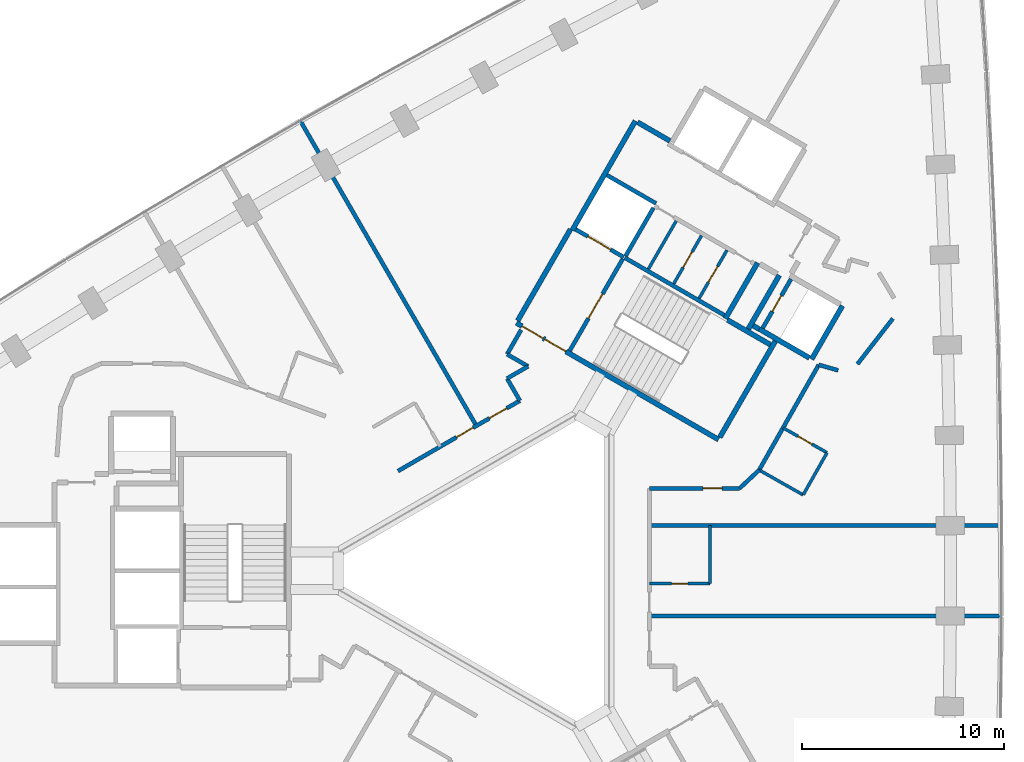
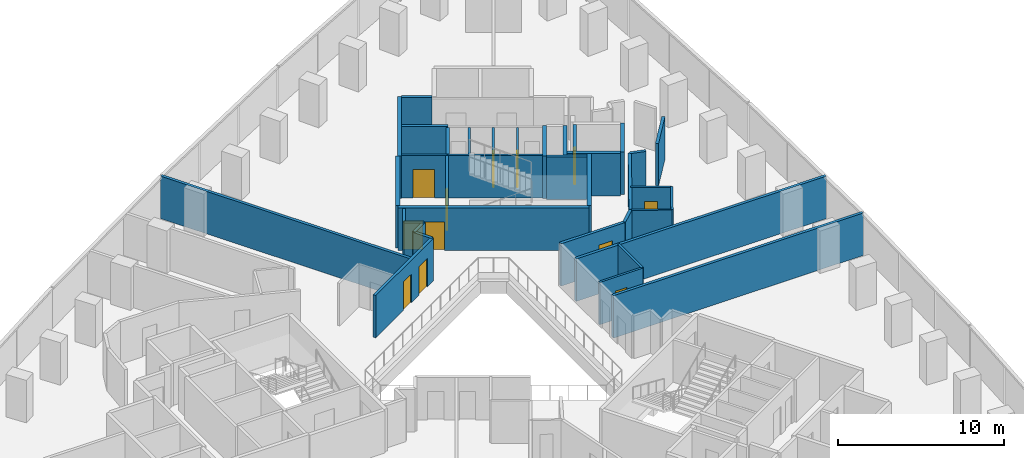
# One storey, part 11 of 13: 38 walls, 12 doors, 12 openings.
"""IFC4 building model written with IfcOpenShell, lengths in metres."""

from ifc_helpers import new_model, si_unit, direction, frame, frame_2d, origin, place, context, subcontext, project, spatial, rectangle, extrude, material, layer, layer_set, type_object, element, fill, save


model = new_model("IFC4")

# Units and contexts
model_context = context("Model", 3, precision=1e-05, world=origin(), true_north=direction((0.0, 1.0)))
body_context = subcontext(model_context, "Body", "Model", "MODEL_VIEW")
ifc_project = project(units=[si_unit("LENGTHUNIT", "METRE"), si_unit("AREAUNIT", "SQUARE_METRE"), si_unit("VOLUMEUNIT", "CUBIC_METRE"), si_unit("PLANEANGLEUNIT", "RADIAN"), si_unit("MASSUNIT", "GRAM", prefix="KILO")], contexts=[model_context])

# Site, building, storey
site_placement = place(None, origin())
site = spatial("IfcSite", under=ifc_project, at=site_placement, CompositionType="ELEMENT")
building_placement = place(site_placement, origin())
building = spatial("IfcBuilding", under=site, at=building_placement, Name="Tamra Quay Hotel Tower", CompositionType="ELEMENT")
storey_placement = place(building_placement, frame((0.0, 0.0, 49.39990234375)))
storey = spatial("IfcBuildingStorey", under=building, at=storey_placement, Name="L10", CompositionType="ELEMENT", Elevation=49.39990234375)

# Wall
ifc_material_1 = material(Name="Concrete M70", Category="concrete")
ifc_layer_1 = layer(ifc_material_1, 0.199951171875)
ifc_layer_set_1 = layer_set([ifc_layer_1], Name="Concrete M70 core wall 200")
wall_type_1 = type_object("IfcWallType", Name="Concrete M70 core wall 200", PredefinedType="SHEAR", material=ifc_layer_set_1)
wall_1_placement = place(storey_placement, frame((5.774658203125, 15.501953125, 0.0), z_axis=(0.0, 0.0, 1.0), x_axis=(0.866020080793, -0.500009219579, 0.0)))
element("IfcWall", 1, at=wall_1_placement, inside=storey, type_object=wall_type_1, Name="CW2", PredefinedType="SHEAR", context=body_context, shape_type="SweptSolid", body=[
    extrude(rectangle(XDim=5.69921875, YDim=0.199951171875, at=frame_2d((2.849609375, 0.0))), origin(), (0.0, 0.0, 1.0), 3.125),
])

# Wall, opening, door
wall_2_placement = place(storey_placement, frame((3.056640625, 10.89453125, 0.0), z_axis=(0.0, 0.0, 1.0), x_axis=(0.499989418164, 0.866031513124, 0.0)))
wall_2 = element("IfcWall", 2, at=wall_2_placement, inside=storey, type_object=wall_type_1, Name="CW2", PredefinedType="SHEAR", context=body_context, shape_type="SweptSolid", body=[
    extrude(rectangle(XDim=5.2509765625, YDim=0.199951171875, at=frame_2d((2.62548828125, 0.0))), origin(), (0.0, 0.0, 1.0), 3.125),
])
opening_1_placement = place(wall_2_placement, frame((1.84912109375, 0.0, 0.0)))
opening_1 = element("IfcOpeningElement", 3, at=opening_1_placement, cuts=wall_2, Name="Opening FD2", PredefinedType="OPENING", context=body_context, shape_type="SweptSolid", body=[
    extrude(rectangle(XDim=1.39990234375, YDim=2.10009765625, at=frame_2d((0.699951171875, 1.050048828125))), frame((0.0, 0.10986328125, 0.0), z_axis=(0.0, -1.0, 0.0), x_axis=(1.0, 0.0, 0.0)), (0.0, 0.0, 1.0), 0.219970703125),
])
ifc_material_2 = material(Name="Core door FD2 1400x2100 RH")
door_type_1 = type_object("IfcDoorType", Name="Core door FD2 1400x2100 RH", OperationType="NOTDEFINED", PredefinedType="DOOR", material=ifc_material_2)
door_1_placement = place(opening_1_placement, origin())
door_1 = element("IfcDoor", 4, at=door_1_placement, inside=storey, type_object=door_type_1, Name="FD2", OperationType="SINGLE_SWING_RIGHT", OverallHeight=2.10009765625, OverallWidth=1.39990234375, PredefinedType="DOOR", context=body_context, shape_type="SweptSolid", body=[
    extrude(rectangle(XDim=1.39990234375, YDim=2.10009765625, at=frame_2d((0.699951171875, 1.050048828125))), frame((0.0, 0.02490234375, 0.0), z_axis=(0.0, -1.0, 0.0), x_axis=(1.0, 0.0, 0.0)), (0.0, 0.0, 1.0), 0.050048828125),
])
fill(opening_1, door_1)

wall_3_placement = place(storey_placement, frame((14.0078125, 14.442138671875, 0.0), z_axis=(0.0, 0.0, 1.0), x_axis=(-0.499986818241, -0.866033014143, 0.0)))
wall_3 = element("IfcWall", 5, at=wall_3_placement, inside=storey, type_object=wall_type_1, Name="CW2", PredefinedType="SHEAR", context=body_context, shape_type="SweptSolid", body=[
    extrude(rectangle(XDim=2.7978515625, YDim=0.199951171875, at=frame_2d((1.39892578125, 0.0))), origin(), (0.0, 0.0, 1.0), 3.125),
])
opening_2_placement = place(wall_3_placement, frame((0.948974609375, 0.0, 0.0)))
opening_2 = element("IfcOpeningElement", 6, at=opening_2_placement, cuts=wall_3, Name="Opening D1", PredefinedType="OPENING", context=body_context, shape_type="SweptSolid", body=[
    extrude(rectangle(XDim=0.89990234375, YDim=2.10009765625, at=frame_2d((0.449951171875, 1.050048828125))), frame((0.0, 0.10986328125, 0.0), z_axis=(0.0, -1.0, 0.0), x_axis=(1.0, 0.0, 0.0)), (0.0, 0.0, 1.0), 0.219970703125),
])
ifc_material_3 = material(Name="Core door D1 900x2100 LH")
door_type_2 = type_object("IfcDoorType", Name="Core door D1 900x2100 LH", OperationType="NOTDEFINED", PredefinedType="DOOR", material=ifc_material_3)
door_2_placement = place(opening_2_placement, origin())
door_2 = element("IfcDoor", 7, at=door_2_placement, inside=storey, type_object=door_type_2, Name="D1", OperationType="SINGLE_SWING_LEFT", OverallHeight=2.10009765625, OverallWidth=0.89990234375, PredefinedType="DOOR", context=body_context, shape_type="SweptSolid", body=[
    extrude(rectangle(XDim=0.89990234375, YDim=2.10009765625, at=frame_2d((0.449951171875, 1.050048828125))), frame((0.0, 0.02490234375, 0.0), z_axis=(0.0, -1.0, 0.0), x_axis=(1.0, 0.0, 0.0)), (0.0, 0.0, 1.0), 0.050048828125),
])
fill(opening_2, door_2)

# Wall
wall_4_placement = place(storey_placement, frame((7.199462890625, 17.969970703125, 0.0), z_axis=(0.0, 0.0, 1.0), x_axis=(-0.499968400327, -0.866043647095, 0.0)))
element("IfcWall", 8, at=wall_4_placement, inside=storey, type_object=wall_type_1, Name="CW2", PredefinedType="SHEAR", context=body_context, shape_type="SweptSolid", body=[
    extrude(rectangle(XDim=2.749755859375, YDim=0.199951171875, at=frame_2d((1.375, 0.0))), origin(), (0.0, 0.0, 1.0), 3.125),
])

# Wall, opening, door
wall_5_placement = place(storey_placement, frame((5.72509765625, 15.530517578125, 0.0), z_axis=(0.0, 0.0, 1.0), x_axis=(-0.866037306777, 0.499979382845, 0.0)))
wall_5 = element("IfcWall", 9, at=wall_5_placement, inside=storey, type_object=wall_type_1, Name="CW2", PredefinedType="SHEAR", context=body_context, shape_type="SweptSolid", body=[
    extrude(rectangle(XDim=2.74169921875, YDim=0.199951171875, at=frame_2d((1.370849609375, 0.0))), origin(), (0.0, 0.0, 1.0), 3.125),
])
opening_3_placement = place(wall_5_placement, frame((0.742919921875, 0.0, 0.0)))
opening_3 = element("IfcOpeningElement", 10, at=opening_3_placement, cuts=wall_5, Name="Opening LD", PredefinedType="OPENING", context=body_context, shape_type="SweptSolid", body=[
    extrude(rectangle(XDim=1.300048828125, YDim=2.10009765625, at=frame_2d((0.64990234375, 1.050048828125))), frame((0.0, 0.10986328125, 0.0), z_axis=(0.0, -1.0, 0.0), x_axis=(1.0, 0.0, 0.0)), (0.0, 0.0, 1.0), 0.219970703125),
])
ifc_material_4 = material(Name="Landing door LD 1300 sliding to right")
door_type_3 = type_object("IfcDoorType", Name="Landing door LD 1300 sliding to right", OperationType="NOTDEFINED", PredefinedType="DOOR", material=ifc_material_4)
door_3_placement = place(opening_3_placement, origin())
door_3 = element("IfcDoor", 11, at=door_3_placement, inside=storey, type_object=door_type_3, Name="LD", OperationType="SLIDING_TO_RIGHT", OverallHeight=2.10009765625, OverallWidth=1.300048828125, PredefinedType="DOOR", context=body_context, shape_type="SweptSolid", body=[
    extrude(rectangle(XDim=1.300048828125, YDim=2.10009765625, at=frame_2d((0.64990234375, 1.050048828125))), frame((0.0, 0.02490234375, 0.0), z_axis=(0.0, -1.0, 0.0), x_axis=(1.0, 0.0, 0.0)), (0.0, 0.0, 1.0), 0.050048828125),
])
fill(opening_3, door_3)

# Wall
wall_6_placement = place(storey_placement, frame((4.900634765625, 19.5859375, 0.0), z_axis=(0.0, 0.0, 1.0), x_axis=(0.866022890907, -0.500004352405, 0.0)))
element("IfcWall", 12, at=wall_6_placement, inside=storey, type_object=wall_type_1, Name="CW2", PredefinedType="SHEAR", context=body_context, shape_type="SweptSolid", body=[
    extrude(rectangle(XDim=2.798828125, YDim=0.199951171875, at=frame_2d((1.3994140625, 0.0))), origin(), (0.0, 0.0, 1.0), 3.125),
])

# Wall, openings, doors
ifc_layer_2 = layer(ifc_material_1, 0.25)
ifc_layer_set_2 = layer_set([ifc_layer_2], Name="Concrete M70 core wall 250")
wall_type_2 = type_object("IfcWallType", Name="Concrete M70 core wall 250", PredefinedType="SHEAR", material=ifc_layer_set_2)
wall_7_placement = place(storey_placement, frame((10.419921875, 6.497802734375, 0.0), z_axis=(0.0, 0.0, 1.0), x_axis=(-0.866021906294, 0.500006057782, 0.0)))
wall_7 = element("IfcWall", 13, at=wall_7_placement, inside=storey, type_object=wall_type_2, Name="CW1", PredefinedType="SHEAR", context=body_context, shape_type="SweptSolid", body=[
    extrude(rectangle(XDim=11.550048828125, YDim=0.25, at=frame_2d((5.77490234375, 0.0))), origin(), (0.0, 0.0, 1.0), 3.125),
])
opening_4_placement = place(wall_7_placement, frame((10.02490234375, 0.0, 0.0)))
opening_4 = element("IfcOpeningElement", 14, at=opening_4_placement, cuts=wall_7, Name="Opening FD1", PredefinedType="OPENING", context=body_context, shape_type="SweptSolid", body=[
    extrude(rectangle(XDim=1.199951171875, YDim=2.10009765625, at=frame_2d((0.60009765625, 1.050048828125))), frame((0.0, 0.135009765625, 0.0), z_axis=(0.0, -1.0, 0.0), x_axis=(1.0, 0.0, 0.0)), (0.0, 0.0, 1.0), 0.27001953125),
])
opening_5_placement = place(wall_7_placement, frame((8.724853515625, 0.0, 0.0)))
opening_5 = element("IfcOpeningElement", 15, at=opening_5_placement, cuts=wall_7, Name="Opening FD1", PredefinedType="OPENING", context=body_context, shape_type="SweptSolid", body=[
    extrude(rectangle(XDim=1.199951171875, YDim=2.10009765625, at=frame_2d((0.60009765625, 1.050048828125))), frame((0.0, 0.135009765625, 0.0), z_axis=(0.0, -1.0, 0.0), x_axis=(1.0, 0.0, 0.0)), (0.0, 0.0, 1.0), 0.27001953125),
])
ifc_material_5 = material(Name="Core door FD1 1200x2100 LH")
door_type_4 = type_object("IfcDoorType", Name="Core door FD1 1200x2100 LH", OperationType="NOTDEFINED", PredefinedType="DOOR", material=ifc_material_5)
door_4_placement = place(opening_4_placement, origin())
door_4 = element("IfcDoor", 16, at=door_4_placement, inside=storey, type_object=door_type_4, Name="FD1", OperationType="SINGLE_SWING_LEFT", OverallHeight=2.10009765625, OverallWidth=1.199951171875, PredefinedType="DOOR", context=body_context, shape_type="SweptSolid", body=[
    extrude(rectangle(XDim=1.199951171875, YDim=2.10009765625, at=frame_2d((0.60009765625, 1.050048828125))), frame((0.0, 0.02490234375, 0.0), z_axis=(0.0, -1.0, 0.0), x_axis=(1.0, 0.0, 0.0)), (0.0, 0.0, 1.0), 0.050048828125),
])
fill(opening_4, door_4)
ifc_material_6 = material(Name="Core door FD1 1200x2100 RH")
door_type_5 = type_object("IfcDoorType", Name="Core door FD1 1200x2100 RH", OperationType="NOTDEFINED", PredefinedType="DOOR", material=ifc_material_6)
door_5_placement = place(opening_5_placement, origin())
door_5 = element("IfcDoor", 17, at=door_5_placement, inside=storey, type_object=door_type_5, Name="FD1", OperationType="SINGLE_SWING_RIGHT", OverallHeight=2.10009765625, OverallWidth=1.199951171875, PredefinedType="DOOR", context=body_context, shape_type="SweptSolid", body=[
    extrude(rectangle(XDim=1.199951171875, YDim=2.10009765625, at=frame_2d((0.60009765625, 1.050048828125))), frame((0.0, 0.02490234375, 0.0), z_axis=(0.0, -1.0, 0.0), x_axis=(1.0, 0.0, 0.0)), (0.0, 0.0, 1.0), 0.050048828125),
])
fill(opening_5, door_5)

# Walls
wall_8_placement = place(storey_placement, frame((3.178955078125, 16.856201171875, 0.0), z_axis=(0.0, 0.0, 1.0), x_axis=(0.500004234368, 0.866022959057, 0.0)))
element("IfcWall", 18, at=wall_8_placement, inside=storey, type_object=wall_type_2, Name="CW1", PredefinedType="SHEAR", context=body_context, shape_type="SweptSolid", body=[
    extrude(rectangle(XDim=6.25, YDim=0.25, at=frame_2d((3.125, 0.0))), origin(), (0.0, 0.0, 1.0), 3.125),
])
wall_9_placement = place(storey_placement, frame((0.47998046875, 12.38134765625, 0.0), z_axis=(0.0, 0.0, 1.0), x_axis=(0.49999885962, 0.866026062182, 0.0)))
element("IfcWall", 19, at=wall_9_placement, inside=storey, type_object=wall_type_2, Name="CW1", PredefinedType="SHEAR", context=body_context, shape_type="SweptSolid", body=[
    extrude(rectangle(XDim=5.224609375, YDim=0.25, at=frame_2d((2.6123046875, 0.0))), origin(), (0.0, 0.0, 1.0), 3.125),
])
wall_10_placement = place(storey_placement, frame((13.237548828125, 11.3779296875, 0.0), z_axis=(0.0, 0.0, 1.0), x_axis=(-0.500008851346, -0.866020293397, 0.0)))
element("IfcWall", 20, at=wall_10_placement, inside=storey, type_object=wall_type_2, Name="CW1", PredefinedType="SHEAR", context=body_context, shape_type="SweptSolid", body=[
    extrude(rectangle(XDim=5.509765625, YDim=0.25, at=frame_2d((2.7548828125, 0.0))), origin(), (0.0, 0.0, 1.0), 3.125),
])
wall_11_placement = place(storey_placement, frame((12.356689453125, 15.25244140625, 0.0), z_axis=(0.0, 0.0, 1.0), x_axis=(-0.500028443584, -0.866008981251, 0.0)))
element("IfcWall", 21, at=wall_11_placement, inside=storey, type_object=wall_type_2, Name="CW1", PredefinedType="SHEAR", context=body_context, shape_type="SweptSolid", body=[
    extrude(rectangle(XDim=3.199951171875, YDim=0.25, at=frame_2d((1.60009765625, 0.0))), origin(), (0.0, 0.0, 1.0), 3.125),
])
wall_12_placement = place(storey_placement, frame((16.552001953125, 13.118896484375, 0.0), z_axis=(0.0, 0.0, 1.0), x_axis=(-0.499978833458, -0.866037623948, 0.0)))
element("IfcWall", 22, at=wall_12_placement, inside=storey, type_object=wall_type_2, Name="CW1", PredefinedType="SHEAR", context=body_context, shape_type="SweptSolid", body=[
    extrude(rectangle(XDim=3.050048828125, YDim=0.25, at=frame_2d((1.52490234375, 0.0))), origin(), (0.0, 0.0, 1.0), 3.125),
])
wall_13_placement = place(storey_placement, frame((14.91845703125, 10.540283203125, 0.0), z_axis=(0.0, 0.0, 1.0), x_axis=(-0.866063538972, 0.499933942099, 0.0)))
element("IfcWall", 23, at=wall_13_placement, inside=storey, type_object=wall_type_2, Name="CW1", PredefinedType="SHEAR", context=body_context, shape_type="SweptSolid", body=[
    extrude(rectangle(XDim=2.86474609375, YDim=0.25, at=frame_2d((1.432373046875, 0.0))), origin(), (0.0, 0.0, 1.0), 3.125),
])
wall_14_placement = place(storey_placement, frame((11.887939453125, 11.960693359375, 0.0), z_axis=(0.0, 0.0, 1.0), x_axis=(0.500003324108, 0.866023484601, 0.0)))
element("IfcWall", 24, at=wall_14_placement, inside=storey, type_object=wall_type_2, Name="CW1", PredefinedType="SHEAR", context=body_context, shape_type="SweptSolid", body=[
    extrude(rectangle(XDim=3.0849609375, YDim=0.25, at=frame_2d((1.54248046875, 0.0))), origin(), (0.0, 0.0, 1.0), 3.125),
])
wall_15_placement = place(storey_placement, frame((10.865234375, 12.41845703125, 0.0), z_axis=(0.0, 0.0, 1.0), x_axis=(0.866026229868, -0.499998569178, 0.0)))
element("IfcWall", 25, at=wall_15_placement, inside=storey, type_object=wall_type_2, Name="CW1", PredefinedType="SHEAR", context=body_context, shape_type="SweptSolid", body=[
    extrude(rectangle(XDim=2.44921875, YDim=0.25, at=frame_2d((1.224609375, 0.0))), origin(), (0.0, 0.0, 1.0), 3.125),
])
wall_16_placement = place(storey_placement, frame((6.41259765625, 22.2060546875, 0.0), z_axis=(0.0, 0.0, 1.0), x_axis=(0.866016279763, -0.500015802937, 0.0)))
element("IfcWall", 26, at=wall_16_placement, inside=storey, type_object=wall_type_2, Name="CW1", PredefinedType="SHEAR", context=body_context, shape_type="SweptSolid", body=[
    extrude(rectangle(XDim=1.84912109375, YDim=0.25, at=frame_2d((0.924560546875, 0.0))), origin(), (0.0, 0.0, 1.0), 3.125),
])
wall_17_placement = place(storey_placement, frame((12.4326171875, 11.9638671875, 0.0), z_axis=(0.0, 0.0, 1.0), x_axis=(-0.866055875208, 0.499947218231, 0.0)))
element("IfcWall", 27, at=wall_17_placement, inside=storey, type_object=wall_type_2, Name="CW1", PredefinedType="SHEAR", context=body_context, shape_type="SweptSolid", body=[
    extrude(rectangle(XDim=0.3447265625, YDim=0.25, at=frame_2d((0.17236328125, 0.0))), origin(), (0.0, 0.0, 1.0), 3.125),
])

# Wall, opening, door
ifc_material_7 = material(Name="Blockwork", Category="masonry")
ifc_layer_3 = layer(ifc_material_7, 0.14990234375)
ifc_layer_set_3 = layer_set([ifc_layer_3], Name="Core partition block 150")
wall_type_3 = type_object("IfcWallType", Name="Core partition block 150", PredefinedType="PARTITIONING", material=ifc_layer_set_3)
wall_18_placement = place(storey_placement, frame((9.462158203125, 13.4892578125, 0.0), z_axis=(0.0, 0.0, 1.0), x_axis=(0.50002746344, 0.86600954718, 0.0)))
wall_18 = element("IfcWall", 28, at=wall_18_placement, inside=storey, type_object=wall_type_3, Name="CP1", PredefinedType="PARTITIONING", context=body_context, shape_type="SweptSolid", body=[
    extrude(rectangle(XDim=2.748291015625, YDim=0.14990234375, at=frame_2d((1.3740234375, 0.0))), origin(), (0.0, 0.0, 1.0), 3.125),
])
opening_6_placement = place(wall_18_placement, frame((0.92431640625, 0.0, 0.0)))
opening_6 = element("IfcOpeningElement", 29, at=opening_6_placement, cuts=wall_18, Name="Opening D2", PredefinedType="OPENING", context=body_context, shape_type="SweptSolid", body=[
    extrude(rectangle(XDim=0.89990234375, YDim=2.10009765625, at=frame_2d((0.449951171875, 1.050048828125))), frame((0.0, 0.0849609375, 0.0), z_axis=(0.0, -1.0, 0.0), x_axis=(1.0, 0.0, 0.0)), (0.0, 0.0, 1.0), 0.169921875),
])
ifc_material_8 = material(Name="Core door D2 900x2100 RH")
door_type_6 = type_object("IfcDoorType", Name="Core door D2 900x2100 RH", OperationType="NOTDEFINED", PredefinedType="DOOR", material=ifc_material_8)
door_6_placement = place(opening_6_placement, origin())
door_6 = element("IfcDoor", 30, at=door_6_placement, inside=storey, type_object=door_type_6, Name="D2", OperationType="SINGLE_SWING_RIGHT", OverallHeight=2.10009765625, OverallWidth=0.89990234375, PredefinedType="DOOR", context=body_context, shape_type="SweptSolid", body=[
    extrude(rectangle(XDim=0.89990234375, YDim=2.10009765625, at=frame_2d((0.449951171875, 1.050048828125))), frame((0.0, 0.02490234375, 0.0), z_axis=(0.0, -1.0, 0.0), x_axis=(1.0, 0.0, 0.0)), (0.0, 0.0, 1.0), 0.050048828125),
])
fill(opening_6, door_6)

wall_19_placement = place(storey_placement, frame((8.20654296875, 14.214111328125, 0.0), z_axis=(0.0, 0.0, 1.0), x_axis=(0.499922376475, 0.866070215109, 0.0)))
wall_19 = element("IfcWall", 31, at=wall_19_placement, inside=storey, type_object=wall_type_3, Name="CP1", PredefinedType="PARTITIONING", context=body_context, shape_type="SweptSolid", body=[
    extrude(rectangle(XDim=2.74853515625, YDim=0.14990234375, at=frame_2d((1.374267578125, 0.0))), origin(), (0.0, 0.0, 1.0), 3.125),
])
opening_7_placement = place(wall_19_placement, frame((0.92431640625, 0.0, 0.0)))
opening_7 = element("IfcOpeningElement", 32, at=opening_7_placement, cuts=wall_19, Name="Opening D2", PredefinedType="OPENING", context=body_context, shape_type="SweptSolid", body=[
    extrude(rectangle(XDim=0.89990234375, YDim=2.10009765625, at=frame_2d((0.449951171875, 1.050048828125))), frame((0.0, 0.0849609375, 0.0), z_axis=(0.0, -1.0, 0.0), x_axis=(1.0, 0.0, 0.0)), (0.0, 0.0, 1.0), 0.169921875),
])
ifc_material_9 = material(Name="Core door D2 900x2100 LH")
door_type_7 = type_object("IfcDoorType", Name="Core door D2 900x2100 LH", OperationType="NOTDEFINED", PredefinedType="DOOR", material=ifc_material_9)
door_7_placement = place(opening_7_placement, origin())
door_7 = element("IfcDoor", 33, at=door_7_placement, inside=storey, type_object=door_type_7, Name="D2", OperationType="SINGLE_SWING_LEFT", OverallHeight=2.10009765625, OverallWidth=0.89990234375, PredefinedType="DOOR", context=body_context, shape_type="SweptSolid", body=[
    extrude(rectangle(XDim=0.89990234375, YDim=2.10009765625, at=frame_2d((0.449951171875, 1.050048828125))), frame((0.0, 0.02490234375, 0.0), z_axis=(0.0, -1.0, 0.0), x_axis=(1.0, 0.0, 0.0)), (0.0, 0.0, 1.0), 0.050048828125),
])
fill(opening_7, door_7)

# Wall
wall_20_placement = place(storey_placement, frame((6.95068359375, 14.939208984375, 0.0), z_axis=(0.0, 0.0, 1.0), x_axis=(0.50002746344, 0.86600954718, 0.0)))
element("IfcWall", 34, at=wall_20_placement, inside=storey, type_object=wall_type_3, Name="CP1", PredefinedType="PARTITIONING", context=body_context, shape_type="SweptSolid", body=[
    extrude(rectangle(XDim=2.748291015625, YDim=0.14990234375, at=frame_2d((1.3740234375, 0.0))), origin(), (0.0, 0.0, 1.0), 3.125),
])

# Wall, openings, doors
ifc_material_10 = material(Name="Partition corridor wall")
ifc_layer_4 = layer(ifc_material_10, 0.199951171875)
ifc_layer_set_4 = layer_set([ifc_layer_4], Name="Partition corridor wall")
wall_type_4 = type_object("IfcWallType", Name="Partition corridor wall", PredefinedType="PARTITIONING", material=ifc_layer_set_4)
wall_21_placement = place(storey_placement, frame((-5.4462890625, 4.939697265625, 0.0), z_axis=(0.0, 0.0, 1.0), x_axis=(0.866096332545, 0.499877127655, 0.0)))
wall_21 = element("IfcWall", 35, at=wall_21_placement, inside=storey, type_object=wall_type_4, Name="W-C", PredefinedType="PARTITIONING", context=body_context, shape_type="SweptSolid", body=[
    extrude(rectangle(XDim=6.968505859375, YDim=0.199951171875, at=frame_2d((3.484375, 0.0))), origin(), (0.0, 0.0, 1.0), 3.125),
])
opening_8_placement = place(wall_21_placement, frame((5.21923828125, 0.0, 0.0)))
opening_8 = element("IfcOpeningElement", 36, at=opening_8_placement, cuts=wall_21, Name="Opening L10-D006", PredefinedType="OPENING", context=body_context, shape_type="SweptSolid", body=[
    extrude(rectangle(XDim=1.0, YDim=2.10009765625, at=frame_2d((0.5, 1.050048828125))), frame((0.0, 0.10986328125, 0.0), z_axis=(0.0, -1.0, 0.0), x_axis=(1.0, 0.0, 0.0)), (0.0, 0.0, 1.0), 0.219970703125),
])
opening_9_placement = place(wall_21_placement, frame((3.343994140625, 0.0, 0.0)))
opening_9 = element("IfcOpeningElement", 37, at=opening_9_placement, cuts=wall_21, Name="Opening L10-D007", PredefinedType="OPENING", context=body_context, shape_type="SweptSolid", body=[
    extrude(rectangle(XDim=0.949951171875, YDim=2.10009765625, at=frame_2d((0.47509765625, 1.050048828125))), frame((0.0, 0.10986328125, 0.0), z_axis=(0.0, -1.0, 0.0), x_axis=(1.0, 0.0, 0.0)), (0.0, 0.0, 1.0), 0.219970703125),
])
ifc_material_11 = material(Name="Door guest room 1000x2100")
door_type_8 = type_object("IfcDoorType", Name="Door guest room 1000x2100", OperationType="NOTDEFINED", PredefinedType="DOOR", material=ifc_material_11)
door_8_placement = place(opening_8_placement, origin())
door_8 = element("IfcDoor", 38, at=door_8_placement, inside=storey, type_object=door_type_8, Name="L10-D006", OperationType="SINGLE_SWING_LEFT", OverallHeight=2.10009765625, OverallWidth=1.0, PredefinedType="DOOR", context=body_context, shape_type="SweptSolid", body=[
    extrude(rectangle(XDim=1.0, YDim=2.10009765625, at=frame_2d((0.5, 1.050048828125))), frame((0.0, 0.02490234375, 0.0), z_axis=(0.0, -1.0, 0.0), x_axis=(1.0, 0.0, 0.0)), (0.0, 0.0, 1.0), 0.050048828125),
])
fill(opening_8, door_8)
ifc_material_12 = material(Name="Door guest room 950x2100")
door_type_9 = type_object("IfcDoorType", Name="Door guest room 950x2100", OperationType="NOTDEFINED", PredefinedType="DOOR", material=ifc_material_12)
door_9_placement = place(opening_9_placement, origin())
door_9 = element("IfcDoor", 39, at=door_9_placement, inside=storey, type_object=door_type_9, Name="L10-D007", OperationType="SINGLE_SWING_LEFT", OverallHeight=2.10009765625, OverallWidth=0.949951171875, PredefinedType="DOOR", context=body_context, shape_type="SweptSolid", body=[
    extrude(rectangle(XDim=0.949951171875, YDim=2.10009765625, at=frame_2d((0.47509765625, 1.050048828125))), frame((0.0, 0.02490234375, 0.0), z_axis=(0.0, -1.0, 0.0), x_axis=(1.0, 0.0, 0.0)), (0.0, 0.0, 1.0), 0.050048828125),
])
fill(opening_9, door_9)

# Walls
wall_22_placement = place(storey_placement, frame((-0.044921875, 9.52197265625, 0.0), z_axis=(0.0, 0.0, 1.0), x_axis=(0.86625675314, 0.499599076899, 0.0)))
element("IfcWall", 40, at=wall_22_placement, inside=storey, type_object=wall_type_4, Name="W-C", PredefinedType="PARTITIONING", context=body_context, shape_type="SweptSolid", body=[
    extrude(rectangle(XDim=1.19921875, YDim=0.199951171875, at=frame_2d((0.599609375, 0.0))), origin(), (0.0, 0.0, 1.0), 3.125),
])
wall_23_placement = place(storey_placement, frame((-0.044921875, 10.721923828125, 0.0), z_axis=(0.0, 0.0, 1.0), x_axis=(0.500107785535, 0.865963164833, 0.0)))
element("IfcWall", 41, at=wall_23_placement, inside=storey, type_object=wall_type_4, Name="W-C", PredefinedType="PARTITIONING", context=body_context, shape_type="SweptSolid", body=[
    extrude(rectangle(XDim=1.389404296875, YDim=0.199951171875, at=frame_2d((0.69482421875, 0.0))), origin(), (0.0, 0.0, 1.0), 3.125),
])
wall_24_placement = place(storey_placement, frame((-0.044921875, 9.52099609375, 0.0), z_axis=(0.0, 0.0, 1.0), x_axis=(0.500094716449, -0.865970712311, 0.0)))
element("IfcWall", 42, at=wall_24_placement, inside=storey, type_object=wall_type_4, Name="W-C", PredefinedType="PARTITIONING", context=body_context, shape_type="SweptSolid", body=[
    extrude(rectangle(XDim=1.267822265625, YDim=0.199951171875, at=frame_2d((0.6337890625, 0.0))), origin(), (0.0, 0.0, 1.0), 3.125),
])
wall_25_placement = place(storey_placement, frame((-0.044921875, 10.720947265625, 0.0), z_axis=(0.0, 0.0, 1.0), x_axis=(0.865992388649, -0.500057179532, 0.0)))
element("IfcWall", 43, at=wall_25_placement, inside=storey, type_object=wall_type_4, Name="W-C", PredefinedType="PARTITIONING", context=body_context, shape_type="SweptSolid", body=[
    extrude(rectangle(XDim=1.199462890625, YDim=0.199951171875, at=frame_2d((0.599609375, 0.0))), origin(), (0.0, 0.0, 1.0), 3.125),
])

# Wall, opening, door
wall_26_placement = place(storey_placement, frame((7.0, 4.077880859375, 0.0), z_axis=(0.0, 0.0, 1.0), x_axis=(1.0, 0.0, 0.0)))
wall_26 = element("IfcWall", 44, at=wall_26_placement, inside=storey, type_object=wall_type_4, Name="W-C", PredefinedType="PARTITIONING", context=body_context, shape_type="SweptSolid", body=[
    extrude(rectangle(XDim=4.4580078125, YDim=0.199951171875, at=frame_2d((2.22900390625, 0.0))), origin(), (0.0, 0.0, 1.0), 3.125),
])
opening_10_placement = place(wall_26_placement, frame((2.64990234375, 0.0, 0.0)))
opening_10 = element("IfcOpeningElement", 45, at=opening_10_placement, cuts=wall_26, Name="Opening L10-D004", PredefinedType="OPENING", context=body_context, shape_type="SweptSolid", body=[
    extrude(rectangle(XDim=0.949951171875, YDim=2.10009765625, at=frame_2d((0.47509765625, 1.050048828125))), frame((0.0, 0.10986328125, 0.0), z_axis=(0.0, -1.0, 0.0), x_axis=(1.0, 0.0, 0.0)), (0.0, 0.0, 1.0), 0.219970703125),
])
door_10_placement = place(opening_10_placement, origin())
door_10 = element("IfcDoor", 46, at=door_10_placement, inside=storey, type_object=door_type_9, Name="L10-D004", OperationType="SINGLE_SWING_LEFT", OverallHeight=2.10009765625, OverallWidth=0.949951171875, PredefinedType="DOOR", context=body_context, shape_type="SweptSolid", body=[
    extrude(rectangle(XDim=0.949951171875, YDim=2.10009765625, at=frame_2d((0.47509765625, 1.050048828125))), frame((0.0, 0.02490234375, 0.0), z_axis=(0.0, -1.0, 0.0), x_axis=(1.0, 0.0, 0.0)), (0.0, 0.0, 1.0), 0.050048828125),
])
fill(opening_10, door_10)

# Walls
wall_27_placement = place(storey_placement, frame((11.4580078125, 4.077880859375, 0.0), z_axis=(0.0, 0.0, 1.0), x_axis=(0.729936032318, 0.683515463412, 0.0)))
element("IfcWall", 47, at=wall_27_placement, inside=storey, type_object=wall_type_4, Name="W-C", PredefinedType="PARTITIONING", context=body_context, shape_type="SweptSolid", body=[
    extrude(rectangle(XDim=1.3359375, YDim=0.199951171875, at=frame_2d((0.66796875, 0.0))), origin(), (0.0, 0.0, 1.0), 3.125),
])
wall_28_placement = place(storey_placement, frame((12.432373046875, 4.992431640625, 0.0), z_axis=(0.0, 0.0, 1.0), x_axis=(0.492790102015, 0.870148214591, 0.0)))
element("IfcWall", 48, at=wall_28_placement, inside=storey, type_object=wall_type_4, Name="W-C", PredefinedType="PARTITIONING", context=body_context, shape_type="SweptSolid", body=[
    extrude(rectangle(XDim=5.981201171875, YDim=0.199951171875, at=frame_2d((2.99072265625, 0.0))), origin(), (0.0, 0.0, 1.0), 3.125),
])
wall_29_placement = place(storey_placement, frame((15.3798828125, 10.197021484375, 0.0), z_axis=(0.0, 0.0, 1.0), x_axis=(0.961523947641, -0.274721127897, 0.0)))
element("IfcWall", 49, at=wall_29_placement, inside=storey, type_object=wall_type_4, Name="W-C", PredefinedType="PARTITIONING", context=body_context, shape_type="SweptSolid", body=[
    extrude(rectangle(XDim=1.000732421875, YDim=0.199951171875, at=frame_2d((0.50048828125, 0.0))), origin(), (0.0, 0.0, 1.0), 3.125),
])
wall_30_placement = place(storey_placement, frame((17.299072265625, 10.235107421875, 0.0), z_axis=(0.0, 0.0, 1.0), x_axis=(0.61377461522, 0.789481299153, 0.0)))
element("IfcWall", 50, at=wall_30_placement, inside=storey, type_object=wall_type_4, Name="W-C", PredefinedType="PARTITIONING", context=body_context, shape_type="SweptSolid", body=[
    extrude(rectangle(XDim=2.851318359375, YDim=0.199951171875, at=frame_2d((1.42578125, 0.0))), origin(), (0.0, 0.0, 1.0), 3.125),
])

# Wall, opening, door
ifc_material_13 = material(Name="Partition en-suite wall")
ifc_layer_5 = layer(ifc_material_13, 0.14990234375)
ifc_layer_set_5 = layer_set([ifc_layer_5], Name="Partition en-suite wall")
wall_type_5 = type_object("IfcWallType", Name="Partition en-suite wall", PredefinedType="PARTITIONING", material=ifc_layer_set_5)
wall_31_placement = place(storey_placement, frame((7.0, -0.635009765625, 0.0), z_axis=(0.0, 0.0, 1.0), x_axis=(1.0, 0.0, 0.0)))
wall_31 = element("IfcWall", 51, at=wall_31_placement, inside=storey, type_object=wall_type_5, Name="W-E", PredefinedType="PARTITIONING", context=body_context, shape_type="SweptSolid", body=[
    extrude(rectangle(XDim=3.0, YDim=0.14990234375, at=frame_2d((1.5, 0.0))), origin(), (0.0, 0.0, 1.0), 3.125),
])
opening_11_placement = place(wall_31_placement, frame((1.10009765625, 0.0, 0.0)))
opening_11 = element("IfcOpeningElement", 52, at=opening_11_placement, cuts=wall_31, Name="Opening L10-D003", PredefinedType="OPENING", context=body_context, shape_type="SweptSolid", body=[
    extrude(rectangle(XDim=0.800048828125, YDim=2.10009765625, at=frame_2d((0.39990234375, 1.050048828125))), frame((0.0, 0.0849609375, 0.0), z_axis=(0.0, -1.0, 0.0), x_axis=(1.0, 0.0, 0.0)), (0.0, 0.0, 1.0), 0.169921875),
])
ifc_material_14 = material(Name="Door en-suite 800x2100")
door_type_10 = type_object("IfcDoorType", Name="Door en-suite 800x2100", OperationType="NOTDEFINED", PredefinedType="DOOR", material=ifc_material_14)
door_11_placement = place(opening_11_placement, origin())
door_11 = element("IfcDoor", 53, at=door_11_placement, inside=storey, type_object=door_type_10, Name="L10-D003", OperationType="SINGLE_SWING_LEFT", OverallHeight=2.10009765625, OverallWidth=0.800048828125, PredefinedType="DOOR", context=body_context, shape_type="SweptSolid", body=[
    extrude(rectangle(XDim=0.800048828125, YDim=2.10009765625, at=frame_2d((0.39990234375, 1.050048828125))), frame((0.0, 0.02490234375, 0.0), z_axis=(0.0, -1.0, 0.0), x_axis=(1.0, 0.0, 0.0)), (0.0, 0.0, 1.0), 0.050048828125),
])
fill(opening_11, door_11)

# Walls
wall_32_placement = place(storey_placement, frame((10.0, -0.635009765625, 0.0), z_axis=(0.0, 0.0, 1.0), x_axis=(0.0, 1.0, 0.0)))
element("IfcWall", 54, at=wall_32_placement, inside=storey, type_object=wall_type_5, Name="W-E", PredefinedType="PARTITIONING", context=body_context, shape_type="SweptSolid", body=[
    extrude(rectangle(XDim=2.8701171875, YDim=0.14990234375, at=frame_2d((1.43505859375, 0.0))), origin(), (0.0, 0.0, 1.0), 3.125),
])
wall_33_placement = place(storey_placement, frame((12.43310546875, 4.990966796875, 0.0), z_axis=(0.0, 0.0, 1.0), x_axis=(0.870173052757, -0.49274624124, 0.0)))
element("IfcWall", 55, at=wall_33_placement, inside=storey, type_object=wall_type_5, Name="W-E", PredefinedType="PARTITIONING", context=body_context, shape_type="SweptSolid", body=[
    extrude(rectangle(XDim=2.498046875, YDim=0.14990234375, at=frame_2d((1.2490234375, 0.0))), origin(), (0.0, 0.0, 1.0), 3.125),
])

# Wall, opening, door
wall_34_placement = place(storey_placement, frame((13.618896484375, 7.075927734375, 0.0), z_axis=(0.0, 0.0, 1.0), x_axis=(0.870725399165, -0.491769538758, 0.0)))
wall_34 = element("IfcWall", 56, at=wall_34_placement, inside=storey, type_object=wall_type_5, Name="W-E", PredefinedType="PARTITIONING", context=body_context, shape_type="SweptSolid", body=[
    extrude(rectangle(XDim=2.48876953125, YDim=0.14990234375, at=frame_2d((1.244384765625, 0.0))), origin(), (0.0, 0.0, 1.0), 3.125),
])
opening_12_placement = place(wall_34_placement, frame((0.84521484375, 0.0, 0.0)))
opening_12 = element("IfcOpeningElement", 57, at=opening_12_placement, cuts=wall_34, Name="Opening L10-D005", PredefinedType="OPENING", context=body_context, shape_type="SweptSolid", body=[
    extrude(rectangle(XDim=0.800048828125, YDim=2.10009765625, at=frame_2d((0.39990234375, 1.050048828125))), frame((0.0, 0.0849609375, 0.0), z_axis=(0.0, -1.0, 0.0), x_axis=(1.0, 0.0, 0.0)), (0.0, 0.0, 1.0), 0.169921875),
])
door_12_placement = place(opening_12_placement, origin())
door_12 = element("IfcDoor", 58, at=door_12_placement, inside=storey, type_object=door_type_10, Name="L10-D005", OperationType="SINGLE_SWING_LEFT", OverallHeight=2.10009765625, OverallWidth=0.800048828125, PredefinedType="DOOR", context=body_context, shape_type="SweptSolid", body=[
    extrude(rectangle(XDim=0.800048828125, YDim=2.10009765625, at=frame_2d((0.39990234375, 1.050048828125))), frame((0.0, 0.02490234375, 0.0), z_axis=(0.0, -1.0, 0.0), x_axis=(1.0, 0.0, 0.0)), (0.0, 0.0, 1.0), 0.050048828125),
])
fill(opening_12, door_12)

# Walls
wall_35_placement = place(storey_placement, frame((14.613037109375, 3.763916015625, 0.0), z_axis=(0.0, 0.0, 1.0), x_axis=(0.492121164181, 0.870526713987, 0.0)))
element("IfcWall", 59, at=wall_35_placement, inside=storey, type_object=wall_type_5, Name="W-E", PredefinedType="PARTITIONING", context=body_context, shape_type="SweptSolid", body=[
    extrude(rectangle(XDim=2.3916015625, YDim=0.14990234375, at=frame_2d((1.19580078125, 0.0))), origin(), (0.0, 0.0, 1.0), 3.125),
])
ifc_material_15 = material(Name="Partition party wall")
ifc_layer_6 = layer(ifc_material_15, 0.199951171875)
ifc_layer_set_6 = layer_set([ifc_layer_6], Name="Partition party wall")
wall_type_6 = type_object("IfcWallType", Name="Partition party wall", PredefinedType="PARTITIONING", material=ifc_layer_set_6)
wall_36_placement = place(storey_placement, frame((-10.2763671875, 22.2705078125, 0.0), z_axis=(0.0, 0.0, 1.0), x_axis=(0.499958184216, -0.866049544793, 0.0)))
element("IfcWall", 60, at=wall_36_placement, inside=storey, type_object=wall_type_6, Name="W-P", PredefinedType="PARTITIONING", context=body_context, shape_type="SweptSolid", body=[
    extrude(rectangle(XDim=17.42236328125, YDim=0.199951171875, at=frame_2d((8.711181640625, 0.0))), origin(), (0.0, 0.0, 1.0), 3.125),
])
wall_37_placement = place(storey_placement, frame((7.0, 2.235107421875, 0.0), z_axis=(0.0, 0.0, 1.0), x_axis=(1.0, 0.0, 0.0)))
element("IfcWall", 61, at=wall_37_placement, inside=storey, type_object=wall_type_6, Name="W-P", PredefinedType="PARTITIONING", context=body_context, shape_type="SweptSolid", body=[
    extrude(rectangle(XDim=17.425048828125, YDim=0.199951171875, at=frame_2d((8.71240234375, 0.0))), origin(), (0.0, 0.0, 1.0), 3.125),
])
wall_38_placement = place(storey_placement, frame((7.0009765625, -2.235107421875, 0.0), z_axis=(0.0, 0.0, 1.0), x_axis=(1.0, 0.0, 0.0)))
element("IfcWall", 62, at=wall_38_placement, inside=storey, type_object=wall_type_6, Name="W-P", PredefinedType="PARTITIONING", context=body_context, shape_type="SweptSolid", body=[
    extrude(rectangle(XDim=17.424072265625, YDim=0.199951171875, at=frame_2d((8.7119140625, 0.0))), origin(), (0.0, 0.0, 1.0), 3.125),
])

save(model, "model.ifc")
